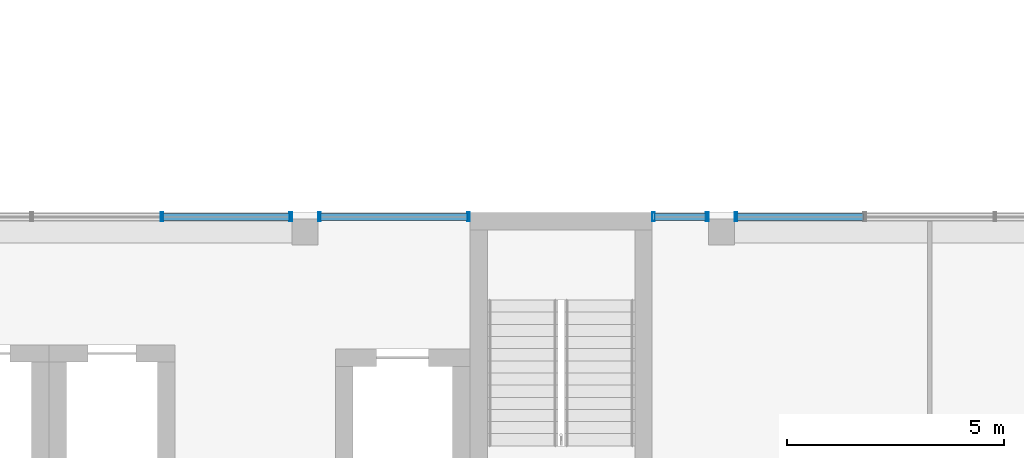
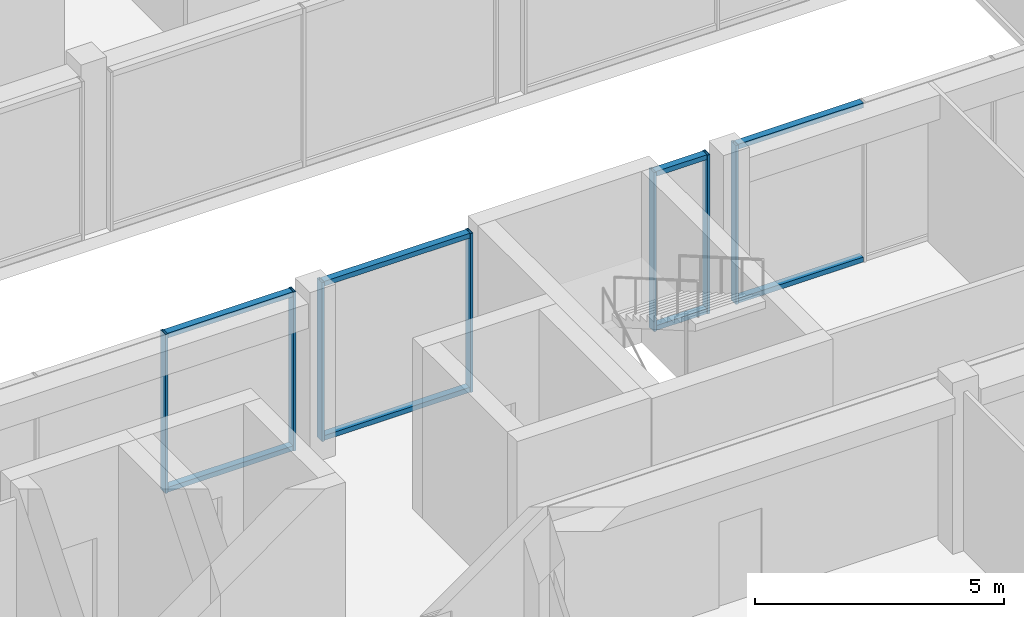
# One storey, part 9 of 28: 15 members, 4 elements without a shape of their own.
"""IFC4 building model written with IfcOpenShell, lengths in metres."""

from ifc_helpers import new_model, si_unit, direction, frame, origin, origin_2d, place, context, subcontext, project, spatial, hollow_rectangle, extrude, material, layer, layer_set, material_profile, profile_set, type_object, element, aggregate, save


model = new_model("IFC4")

# Units and contexts
model_context = context("Model", 3, precision=1e-05, world=origin(), true_north=direction((0.0, 1.0)))
body_context = subcontext(model_context, "Body", "Model", "MODEL_VIEW")
ifc_project = project(units=[si_unit("LENGTHUNIT", "METRE"), si_unit("AREAUNIT", "SQUARE_METRE"), si_unit("VOLUMEUNIT", "CUBIC_METRE"), si_unit("PLANEANGLEUNIT", "RADIAN"), si_unit("MASSUNIT", "GRAM", prefix="KILO")], contexts=[model_context])

# Site, building, storey
site_placement = place(None, origin())
site = spatial("IfcSite", under=ifc_project, at=site_placement, CompositionType="ELEMENT")
building_placement = place(site_placement, origin())
building = spatial("IfcBuilding", under=site, at=building_placement, Name="Nzadi Deep Aquarium and Research Tower", CompositionType="ELEMENT")
storey_placement = place(building_placement, frame((0.0, 0.0, 73.89990234375)))
storey = spatial("IfcBuildingStorey", under=building, at=storey_placement, Name="L15", CompositionType="ELEMENT", Elevation=73.89990234375)

# Curtain wall, members
ifc_material_1 = material(Name="Aluminium unitised frame", Category="aluminium")
ifc_layer = layer(ifc_material_1, 0.199951171875)
ifc_layer_set = layer_set([ifc_layer], Name="Aluminium unitised frame")
curtain_wall_type = type_object("IfcCurtainWallType", Name="Curtain wall Unitised 200", PredefinedType="NOTDEFINED", material=ifc_layer_set)
curtain_wall_1_placement = place(storey_placement, origin())
curtain_wall_1 = element("IfcCurtainWall", 1, at=curtain_wall_1_placement, inside=storey, type_object=curtain_wall_type, Name="Unitised curtain wall blade A north L15", PredefinedType="NOTDEFINED")
ifc_material_2 = material(Name="Aluminium unitised frame", Category="aluminium")
ifc_material_profile_1 = material_profile(ifc_material_2, hollow_rectangle(XDim=0.199951171875, YDim=0.06005859375, WallThickness=0.0048828125, at=origin_2d()))
ifc_profile_set_1 = profile_set([ifc_material_profile_1], Name="Aluminium unitised frame")
member_type_1 = type_object("IfcMemberType", Name="Mullion 60x200 Unitised", PredefinedType="MULLION", material=ifc_profile_set_1)
member_1_placement = place(storey_placement, frame((15.89990234375, 18.75, 0.0), z_axis=(0.0, 0.0, 1.0), x_axis=(0.0, 1.0, 0.0)))
member_1 = element("IfcMember", 2, at=member_1_placement, type_object=member_type_1, Name="CW071 mullion 3", PredefinedType="MULLION", context=body_context, shape_type="SweptSolid", body=[
    extrude(hollow_rectangle(XDim=0.199951171875, YDim=0.06005859375, WallThickness=0.0048828125, at=origin_2d()), origin(), (0.0, 0.0, 1.0), 3.900146484375),
])
member_2_placement = place(storey_placement, frame((18.8701171875, 18.75, 0.0), z_axis=(0.0, 0.0, 1.0), x_axis=(0.0, 1.0, 0.0)))
member_2 = element("IfcMember", 3, at=member_2_placement, type_object=member_type_1, Name="CW071 mullion 4", PredefinedType="MULLION", context=body_context, shape_type="SweptSolid", body=[
    extrude(hollow_rectangle(XDim=0.199951171875, YDim=0.06005859375, WallThickness=0.0048828125, at=origin_2d()), origin(), (0.0, 0.0, 1.0), 3.900146484375),
])

curtain_wall_2_placement = place(storey_placement, origin())
curtain_wall_2 = element("IfcCurtainWall", 4, at=curtain_wall_2_placement, inside=storey, type_object=curtain_wall_type, Name="Unitised curtain wall blade A north L15", PredefinedType="NOTDEFINED")
member_3_placement = place(storey_placement, frame((19.530029296875, 18.75, 0.0), z_axis=(0.0, 0.0, 1.0), x_axis=(0.0, 1.0, 0.0)))
member_3 = element("IfcMember", 5, at=member_3_placement, type_object=member_type_1, Name="CW072 mullion 1", PredefinedType="MULLION", context=body_context, shape_type="SweptSolid", body=[
    extrude(hollow_rectangle(XDim=0.199951171875, YDim=0.06005859375, WallThickness=0.0048828125, at=origin_2d()), origin(), (0.0, 0.0, 1.0), 3.900146484375),
])
member_4_placement = place(storey_placement, frame((22.969970703125, 18.75, 0.0), z_axis=(0.0, 0.0, 1.0), x_axis=(0.0, 1.0, 0.0)))
member_4 = element("IfcMember", 6, at=member_4_placement, type_object=member_type_1, Name="CW072 mullion 2", PredefinedType="MULLION", context=body_context, shape_type="SweptSolid", body=[
    extrude(hollow_rectangle(XDim=0.199951171875, YDim=0.06005859375, WallThickness=0.0048828125, at=origin_2d()), origin(), (0.0, 0.0, 1.0), 3.900146484375),
])

curtain_wall_3_placement = place(storey_placement, origin())
curtain_wall_3 = element("IfcCurtainWall", 7, at=curtain_wall_3_placement, inside=storey, type_object=curtain_wall_type, Name="Unitised curtain wall blade A north L15", PredefinedType="NOTDEFINED")
member_5_placement = place(storey_placement, frame((27.22998046875, 18.75, 0.0), z_axis=(0.0, 0.0, 1.0), x_axis=(0.0, 1.0, 0.0)))
member_5 = element("IfcMember", 8, at=member_5_placement, type_object=member_type_1, Name="CW073 mullion 1", PredefinedType="MULLION", context=body_context, shape_type="SweptSolid", body=[
    extrude(hollow_rectangle(XDim=0.199951171875, YDim=0.06005859375, WallThickness=0.0048828125, at=origin_2d()), origin(), (0.0, 0.0, 1.0), 3.900146484375),
])
member_6_placement = place(storey_placement, frame((28.469970703125, 18.75, 0.0), z_axis=(0.0, 0.0, 1.0), x_axis=(0.0, 1.0, 0.0)))
member_6 = element("IfcMember", 9, at=member_6_placement, type_object=member_type_1, Name="CW073 mullion 2", PredefinedType="MULLION", context=body_context, shape_type="SweptSolid", body=[
    extrude(hollow_rectangle(XDim=0.199951171875, YDim=0.06005859375, WallThickness=0.0048828125, at=origin_2d()), origin(), (0.0, 0.0, 1.0), 3.900146484375),
])

# Curtain wall, member
curtain_wall_4_placement = place(storey_placement, origin())
curtain_wall_4 = element("IfcCurtainWall", 10, at=curtain_wall_4_placement, inside=storey, type_object=curtain_wall_type, Name="Unitised curtain wall blade A north L15", PredefinedType="NOTDEFINED")
member_7_placement = place(storey_placement, frame((29.1298828125, 18.75, 0.0), z_axis=(0.0, 0.0, 1.0), x_axis=(0.0, 1.0, 0.0)))
member_7 = element("IfcMember", 11, at=member_7_placement, type_object=member_type_1, Name="CW074 mullion 1", PredefinedType="MULLION", context=body_context, shape_type="SweptSolid", body=[
    extrude(hollow_rectangle(XDim=0.199951171875, YDim=0.06005859375, WallThickness=0.0048828125, at=origin_2d()), origin(), (0.0, 0.0, 1.0), 3.900146484375),
])

# Member
ifc_material_3 = material(Name="Aluminium unitised frame", Category="aluminium")
ifc_material_profile_2 = material_profile(ifc_material_3, hollow_rectangle(XDim=0.159912109375, YDim=0.1201171875, WallThickness=0.0048828125, at=origin_2d()))
ifc_profile_set_2 = profile_set([ifc_material_profile_2], Name="Aluminium unitised frame")
member_type_2 = type_object("IfcMemberType", Name="Transom 120x160 Unitised", PredefinedType="MULLION", material=ifc_profile_set_2)
member_8_placement = place(storey_placement, frame((15.929931640625, 18.75, 0.06005859375), z_axis=(1.0, 0.0, 0.0), x_axis=(0.0, 1.0, 0.0)))
member_8 = element("IfcMember", 12, at=member_8_placement, type_object=member_type_2, Name="CW071 transom 3.1", PredefinedType="MULLION", context=body_context, shape_type="SweptSolid", body=[
    extrude(hollow_rectangle(XDim=0.159912109375, YDim=0.1201171875, WallThickness=0.0048828125, at=origin_2d()), origin(), (0.0, 0.0, 1.0), 2.91015625),
])

member_9_placement = place(storey_placement, frame((15.929931640625, 18.75, 3.840087890625), z_axis=(1.0, 0.0, 0.0), x_axis=(0.0, 1.0, 0.0)))
member_9 = element("IfcMember", 13, at=member_9_placement, type_object=member_type_2, Name="CW071 transom 3.2", PredefinedType="MULLION", context=body_context, shape_type="SweptSolid", body=[
    extrude(hollow_rectangle(XDim=0.159912109375, YDim=0.1201171875, WallThickness=0.0048828125, at=origin_2d()), origin(), (0.0, 0.0, 1.0), 2.91015625),
])

aggregate(curtain_wall_1, [member_1, member_2, member_8, member_9])

member_10_placement = place(storey_placement, frame((19.56005859375, 18.75, 0.06005859375), z_axis=(1.0, 0.0, 0.0), x_axis=(0.0, 1.0, 0.0)))
member_10 = element("IfcMember", 14, at=member_10_placement, type_object=member_type_2, Name="CW072 transom 1.1", PredefinedType="MULLION", context=body_context, shape_type="SweptSolid", body=[
    extrude(hollow_rectangle(XDim=0.159912109375, YDim=0.1201171875, WallThickness=0.0048828125, at=origin_2d()), origin(), (0.0, 0.0, 1.0), 3.3798828125),
])

member_11_placement = place(storey_placement, frame((19.56005859375, 18.75, 3.840087890625), z_axis=(1.0, 0.0, 0.0), x_axis=(0.0, 1.0, 0.0)))
member_11 = element("IfcMember", 15, at=member_11_placement, type_object=member_type_2, Name="CW072 transom 1.2", PredefinedType="MULLION", context=body_context, shape_type="SweptSolid", body=[
    extrude(hollow_rectangle(XDim=0.159912109375, YDim=0.1201171875, WallThickness=0.0048828125, at=origin_2d()), origin(), (0.0, 0.0, 1.0), 3.3798828125),
])

aggregate(curtain_wall_2, [member_3, member_4, member_10, member_11])

member_12_placement = place(storey_placement, frame((27.260009765625, 18.75, 0.06005859375), z_axis=(1.0, 0.0, 0.0), x_axis=(0.0, 1.0, 0.0)))
member_12 = element("IfcMember", 16, at=member_12_placement, type_object=member_type_2, Name="CW073 transom 1.1", PredefinedType="MULLION", context=body_context, shape_type="SweptSolid", body=[
    extrude(hollow_rectangle(XDim=0.159912109375, YDim=0.1201171875, WallThickness=0.0048828125, at=origin_2d()), origin(), (0.0, 0.0, 1.0), 1.179931640625),
])

member_13_placement = place(storey_placement, frame((27.260009765625, 18.75, 3.840087890625), z_axis=(1.0, 0.0, 0.0), x_axis=(0.0, 1.0, 0.0)))
member_13 = element("IfcMember", 17, at=member_13_placement, type_object=member_type_2, Name="CW073 transom 1.2", PredefinedType="MULLION", context=body_context, shape_type="SweptSolid", body=[
    extrude(hollow_rectangle(XDim=0.159912109375, YDim=0.1201171875, WallThickness=0.0048828125, at=origin_2d()), origin(), (0.0, 0.0, 1.0), 1.179931640625),
])

aggregate(curtain_wall_3, [member_5, member_6, member_12, member_13])

member_14_placement = place(storey_placement, frame((29.159912109375, 18.75, 0.06005859375), z_axis=(1.0, 0.0, 0.0), x_axis=(0.0, 1.0, 0.0)))
member_14 = element("IfcMember", 18, at=member_14_placement, type_object=member_type_2, Name="CW074 transom 1.1", PredefinedType="MULLION", context=body_context, shape_type="SweptSolid", body=[
    extrude(hollow_rectangle(XDim=0.159912109375, YDim=0.1201171875, WallThickness=0.0048828125, at=origin_2d()), origin(), (0.0, 0.0, 1.0), 2.91015625),
])

member_15_placement = place(storey_placement, frame((29.159912109375, 18.75, 3.840087890625), z_axis=(1.0, 0.0, 0.0), x_axis=(0.0, 1.0, 0.0)))
member_15 = element("IfcMember", 19, at=member_15_placement, type_object=member_type_2, Name="CW074 transom 1.2", PredefinedType="MULLION", context=body_context, shape_type="SweptSolid", body=[
    extrude(hollow_rectangle(XDim=0.159912109375, YDim=0.1201171875, WallThickness=0.0048828125, at=origin_2d()), origin(), (0.0, 0.0, 1.0), 2.91015625),
])

aggregate(curtain_wall_4, [member_7, member_14, member_15])

save(model, "model.ifc")
